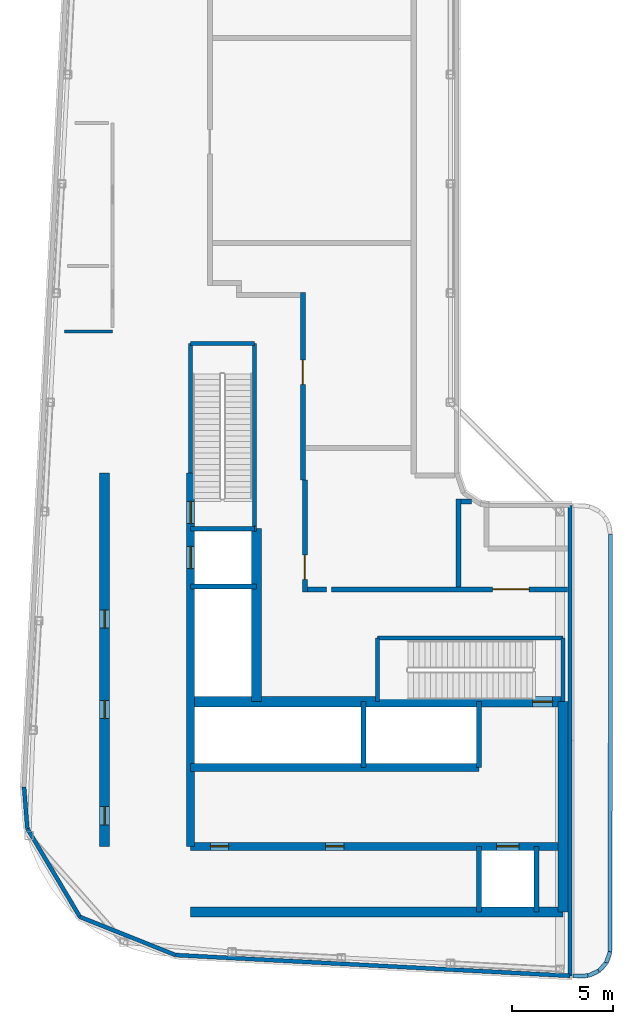
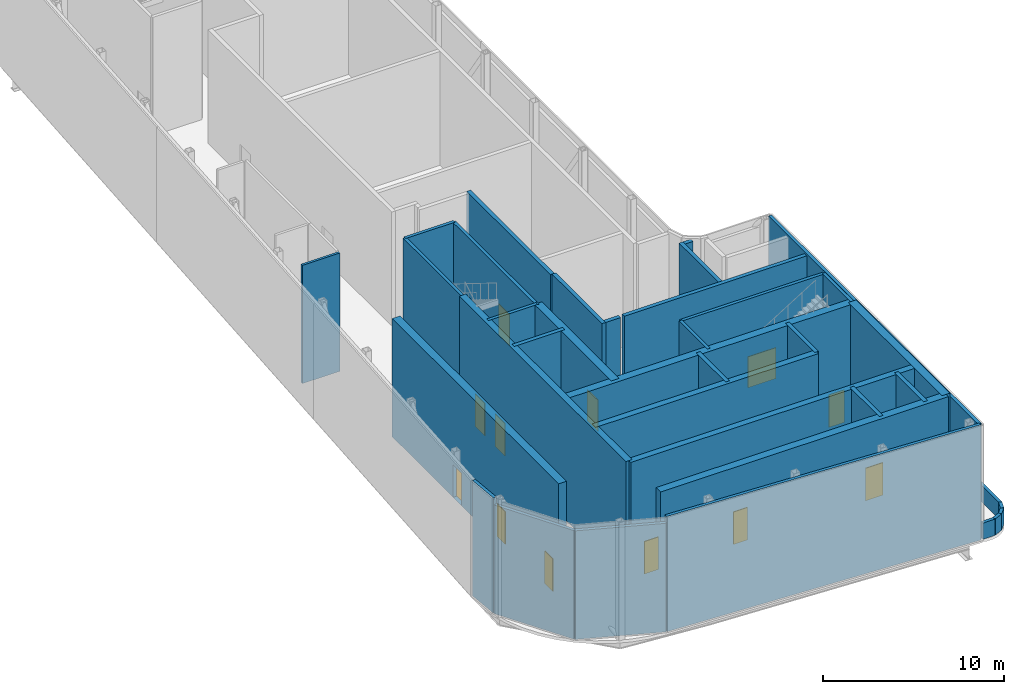
# One storey, part 4 of 10: 38 walls, 12 doors, 12 openings.
"""IFC4 building model written with IfcOpenShell, lengths in metres."""

from ifc_helpers import new_model, si_unit, direction, frame, frame_2d, origin, place, context, subcontext, project, spatial, rectangle, extrude, source, transform, mapped, material, layer, layer_set, type_object, element, fill, save


model = new_model("IFC4")

# Units and contexts
model_context = context("Model", 3, precision=1e-05, world=origin(), true_north=direction((0.0, 1.0)))
body_context = subcontext(model_context, "Body", "Model", "MODEL_VIEW")
ifc_project = project(units=[si_unit("LENGTHUNIT", "METRE"), si_unit("AREAUNIT", "SQUARE_METRE"), si_unit("VOLUMEUNIT", "CUBIC_METRE"), si_unit("PLANEANGLEUNIT", "RADIAN"), si_unit("MASSUNIT", "GRAM", prefix="KILO")], contexts=[model_context])

# Site, building, storey
site_placement = place(None, origin())
site = spatial("IfcSite", under=ifc_project, at=site_placement, CompositionType="ELEMENT")
building_placement = place(site_placement, origin())
building = spatial("IfcBuilding", under=site, at=building_placement, Name="Kheshtan School and Residences Tower", CompositionType="ELEMENT")
storey_placement = place(building_placement, frame((0.0, 0.0, 396.800048828125)))
storey = spatial("IfcBuildingStorey", under=building, at=storey_placement, Name="L93", CompositionType="ELEMENT", Elevation=396.800048828125)

# Wall, openings, doors
ifc_material_1 = material(Name="Concrete C50/60", Category="concrete")
ifc_layer_1 = layer(ifc_material_1, 0.39990234375)
ifc_layer_set_1 = layer_set([ifc_layer_1], Name="Core wall 400 Concrete C50/60")
wall_type_1 = type_object("IfcWallType", Name="Core wall 400 Concrete C50/60", PredefinedType="SHEAR", material=ifc_layer_set_1)
wall_1_placement = place(storey_placement, frame((34.75, 29.050048828125, 0.0), z_axis=(0.0, 0.0, 1.0), x_axis=(1.0, 0.0, 0.0)))
wall_1 = element("IfcWall", 1, at=wall_1_placement, inside=storey, type_object=wall_type_1, Name="Core wall CW-HALL-S1", PredefinedType="SHEAR", context=body_context, shape_type="SweptSolid", body=[
    extrude(rectangle(XDim=18.39990234375, YDim=0.39990234375, at=frame_2d((9.199951171875, 0.0))), origin(), (0.0, 0.0, 1.0), 8.0),
])
opening_1_placement = place(wall_1_placement, frame((15.125, 0.0, 0.0)))
opening_1 = element("IfcOpeningElement", 2, at=opening_1_placement, cuts=wall_1, Name="Opening LD", PredefinedType="OPENING", context=body_context, shape_type="SweptSolid", body=[
    extrude(rectangle(XDim=1.10009765625, YDim=2.199951171875, at=frame_2d((0.550048828125, 1.10009765625))), frame((0.0, 0.2099609375, 0.0), z_axis=(0.0, -1.0, 0.0), x_axis=(1.0, 0.0, 0.0)), (0.0, 0.0, 1.0), 0.419921875),
])
opening_2_placement = place(wall_1_placement, frame((0.97509765625, 0.0, 0.0)))
opening_2 = element("IfcOpeningElement", 3, at=opening_2_placement, cuts=wall_1, Name="Opening SR90", PredefinedType="OPENING", context=body_context, shape_type="SweptSolid", body=[
    extrude(rectangle(XDim=0.89990234375, YDim=2.199951171875, at=frame_2d((0.449951171875, 1.10009765625))), frame((0.0, 0.2099609375, 0.0), z_axis=(0.0, -1.0, 0.0), x_axis=(1.0, 0.0, 0.0)), (0.0, 0.0, 1.0), 0.419921875),
])
opening_3_placement = place(wall_1_placement, frame((6.675048828125, 0.0, 0.0)))
opening_3 = element("IfcOpeningElement", 4, at=opening_3_placement, cuts=wall_1, Name="Opening SR90", PredefinedType="OPENING", context=body_context, shape_type="SweptSolid", body=[
    extrude(rectangle(XDim=0.89990234375, YDim=2.199951171875, at=frame_2d((0.449951171875, 1.10009765625))), frame((0.0, 0.2099609375, 0.0), z_axis=(0.0, -1.0, 0.0), x_axis=(1.0, 0.0, 0.0)), (0.0, 0.0, 1.0), 0.419921875),
])
ifc_material_2 = material(Name="Stainless steel door leaves", Category="steel")
door_type_1 = type_object("IfcDoorType", Name="Lift landing door 1100", OperationType="SLIDING_TO_LEFT", PredefinedType="DOOR", material=ifc_material_2)
shared_shape_1 = source(origin(), body_context, "Body", "SweptSolid", [
    extrude(rectangle(XDim=1.10009765625, YDim=2.199951171875, at=frame_2d((0.550048828125, 1.10009765625))), frame((0.0, 0.02490234375, 0.0), z_axis=(0.0, -1.0, 0.0), x_axis=(1.0, 0.0, 0.0)), (0.0, 0.0, 1.0), 0.050048828125),
])
door_1_placement = place(opening_1_placement, origin())
door_1 = element("IfcDoor", 5, at=door_1_placement, inside=storey, type_object=door_type_1, Name="Lift FFL2 landing door", OperationType="SLIDING_TO_LEFT", OverallHeight=2.199951171875, OverallWidth=1.10009765625, PredefinedType="DOOR", context=body_context, shape_type="MappedRepresentation", body=[
    mapped(shared_shape_1, transform((0.0, 0.0, 0.0), x_axis=(1.0, 0.0, 0.0), y_axis=(0.0, 1.0, 0.0), z_axis=(0.0, 0.0, 1.0), scale=1.0)),
])
fill(opening_1, door_1)
ifc_material_3 = material(Name="Steel door leaf, galvanised", Category="steel")
door_type_2 = type_object("IfcDoorType", Name="Service room door 900 steel 90 min", OperationType="SINGLE_SWING_LEFT", PredefinedType="DOOR", material=ifc_material_3)
shared_shape_2 = source(origin(), body_context, "Body", "SweptSolid", [
    extrude(rectangle(XDim=0.89990234375, YDim=2.199951171875, at=frame_2d((0.449951171875, 1.10009765625))), frame((0.0, 0.02490234375, 0.0), z_axis=(0.0, -1.0, 0.0), x_axis=(1.0, 0.0, 0.0)), (0.0, 0.0, 1.0), 0.050048828125),
])
door_2_placement = place(opening_2_placement, origin())
door_2 = element("IfcDoor", 6, at=door_2_placement, inside=storey, type_object=door_type_2, Name="Service room door", OperationType="SINGLE_SWING_LEFT", OverallHeight=2.199951171875, OverallWidth=0.89990234375, PredefinedType="DOOR", context=body_context, shape_type="MappedRepresentation", body=[
    mapped(shared_shape_2, transform((0.0, 0.0, 0.0), x_axis=(1.0, 0.0, 0.0), y_axis=(0.0, 1.0, 0.0), z_axis=(0.0, 0.0, 1.0), scale=1.0)),
])
fill(opening_2, door_2)
door_3_placement = place(opening_3_placement, origin())
door_3 = element("IfcDoor", 7, at=door_3_placement, inside=storey, type_object=door_type_2, Name="Service room door", OperationType="SINGLE_SWING_RIGHT", OverallHeight=2.199951171875, OverallWidth=0.89990234375, PredefinedType="DOOR", context=body_context, shape_type="MappedRepresentation", body=[
    mapped(shared_shape_2, transform((0.0, 0.0, 0.0), x_axis=(1.0, 0.0, 0.0), y_axis=(0.0, 1.0, 0.0), z_axis=(0.0, 0.0, 1.0), scale=1.0)),
])
fill(opening_3, door_3)

# Wall
wall_2_placement = place(storey_placement, frame((34.75, 32.949951171875, 0.0), z_axis=(0.0, 0.0, 1.0), x_axis=(1.0, 0.0, 0.0)))
element("IfcWall", 8, at=wall_2_placement, inside=storey, type_object=wall_type_1, Name="Core wall CW-HALL-S2", PredefinedType="SHEAR", context=body_context, shape_type="SweptSolid", body=[
    extrude(rectangle(XDim=14.25, YDim=0.39990234375, at=frame_2d((7.125, 0.0))), origin(), (0.0, 0.0, 1.0), 8.0),
])

# Wall, openings, doors
wall_3_placement = place(storey_placement, frame((34.75, 29.050048828125, 0.0), z_axis=(0.0, 0.0, 1.0), x_axis=(0.0, 1.0, 0.0)))
wall_3 = element("IfcWall", 9, at=wall_3_placement, inside=storey, type_object=wall_type_1, Name="Core wall CW-HALL-W1", PredefinedType="SHEAR", context=body_context, shape_type="SweptSolid", body=[
    extrude(rectangle(XDim=18.449951171875, YDim=0.39990234375, at=frame_2d((9.22509765625, 0.0))), origin(), (0.0, 0.0, 1.0), 8.0),
])
opening_4_placement = place(wall_3_placement, frame((13.72509765625, 0.0, 0.0)))
opening_4 = element("IfcOpeningElement", 10, at=opening_4_placement, cuts=wall_3, Name="Opening LD", PredefinedType="OPENING", context=body_context, shape_type="SweptSolid", body=[
    extrude(rectangle(XDim=1.10009765625, YDim=2.199951171875, at=frame_2d((0.550048828125, 1.10009765625))), frame((0.0, 0.2099609375, 0.0), z_axis=(0.0, -1.0, 0.0), x_axis=(1.0, 0.0, 0.0)), (0.0, 0.0, 1.0), 0.419921875),
])
opening_5_placement = place(wall_3_placement, frame((15.949951171875, 0.0, 0.0)))
opening_5 = element("IfcOpeningElement", 11, at=opening_5_placement, cuts=wall_3, Name="Opening ST2D", PredefinedType="OPENING", context=body_context, shape_type="SweptSolid", body=[
    extrude(rectangle(XDim=1.10009765625, YDim=2.199951171875, at=frame_2d((0.550048828125, 1.10009765625))), frame((0.0, 0.2099609375, 0.0), z_axis=(0.0, -1.0, 0.0), x_axis=(1.0, 0.0, 0.0)), (0.0, 0.0, 1.0), 0.419921875),
])
door_4_placement = place(opening_4_placement, origin())
door_4 = element("IfcDoor", 12, at=door_4_placement, inside=storey, type_object=door_type_1, Name="Lift FFL1 landing door", OperationType="SLIDING_TO_LEFT", OverallHeight=2.199951171875, OverallWidth=1.10009765625, PredefinedType="DOOR", context=body_context, shape_type="MappedRepresentation", body=[
    mapped(shared_shape_1, transform((0.0, 0.0, 0.0), x_axis=(1.0, 0.0, 0.0), y_axis=(0.0, 1.0, 0.0), z_axis=(0.0, 0.0, 1.0), scale=1.0)),
])
fill(opening_4, door_4)
door_type_3 = type_object("IfcDoorType", Name="Stair door 1100 steel 90 min", OperationType="SINGLE_SWING_LEFT", PredefinedType="DOOR", material=ifc_material_3)
shared_shape_3 = source(origin(), body_context, "Body", "SweptSolid", [
    extrude(rectangle(XDim=1.10009765625, YDim=2.199951171875, at=frame_2d((0.550048828125, 1.10009765625))), frame((0.0, 0.02490234375, 0.0), z_axis=(0.0, -1.0, 0.0), x_axis=(1.0, 0.0, 0.0)), (0.0, 0.0, 1.0), 0.050048828125),
])
door_5_placement = place(opening_5_placement, origin())
door_5 = element("IfcDoor", 13, at=door_5_placement, inside=storey, type_object=door_type_3, Name="Stair ST2 door", OperationType="SINGLE_SWING_RIGHT", OverallHeight=2.199951171875, OverallWidth=1.10009765625, PredefinedType="DOOR", context=body_context, shape_type="MappedRepresentation", body=[
    mapped(shared_shape_3, transform((0.0, 0.0, 0.0), x_axis=(1.0, 0.0, 0.0), y_axis=(0.0, 1.0, 0.0), z_axis=(0.0, 0.0, 1.0), scale=1.0)),
])
fill(opening_5, door_5)

# Wall
ifc_layer_2 = layer(ifc_material_1, 0.5)
ifc_layer_set_2 = layer_set([ifc_layer_2], Name="Core wall 500 Concrete C50/60")
wall_type_2 = type_object("IfcWallType", Name="Core wall 500 Concrete C50/60", PredefinedType="SHEAR", material=ifc_layer_set_2)
wall_4_placement = place(storey_placement, frame((34.75, 25.800048828125, 0.0), z_axis=(0.0, 0.0, 1.0), x_axis=(1.0, 0.0, 0.0)))
element("IfcWall", 14, at=wall_4_placement, inside=storey, type_object=wall_type_2, Name="Core wall CW-REAR-S", PredefinedType="SHEAR", context=body_context, shape_type="SweptSolid", body=[
    extrude(rectangle(XDim=18.39990234375, YDim=0.5, at=frame_2d((9.199951171875, 0.0))), origin(), (0.0, 0.0, 1.0), 8.0),
])

# Wall, opening, door
wall_5_placement = place(storey_placement, frame((34.75, 36.199951171875, 0.0), z_axis=(0.0, 0.0, 1.0), x_axis=(1.0, 0.0, 0.0)))
wall_5 = element("IfcWall", 15, at=wall_5_placement, inside=storey, type_object=wall_type_2, Name="Core wall CW-FRONT-S", PredefinedType="SHEAR", context=body_context, shape_type="SweptSolid", body=[
    extrude(rectangle(XDim=18.39990234375, YDim=0.5, at=frame_2d((9.199951171875, 0.0))), origin(), (0.0, 0.0, 1.0), 8.0),
])
opening_6_placement = place(wall_5_placement, frame((16.89990234375, 0.0, 0.0)))
opening_6 = element("IfcOpeningElement", 16, at=opening_6_placement, cuts=wall_5, Name="Opening ST1D", PredefinedType="OPENING", context=body_context, shape_type="SweptSolid", body=[
    extrude(rectangle(XDim=1.0, YDim=2.199951171875, at=frame_2d((0.5, 1.10009765625))), frame((0.0, 0.260009765625, 0.0), z_axis=(0.0, -1.0, 0.0), x_axis=(1.0, 0.0, 0.0)), (0.0, 0.0, 1.0), 0.52001953125),
])
shared_shape_4 = source(origin(), body_context, "Body", "SweptSolid", [
    extrude(rectangle(XDim=1.0, YDim=2.199951171875, at=frame_2d((0.5, 1.10009765625))), frame((0.0, 0.02490234375, 0.0), z_axis=(0.0, -1.0, 0.0), x_axis=(1.0, 0.0, 0.0)), (0.0, 0.0, 1.0), 0.050048828125),
])
door_6_placement = place(opening_6_placement, origin())
door_6 = element("IfcDoor", 17, at=door_6_placement, inside=storey, type_object=door_type_3, Name="Stair ST1 door", OperationType="SINGLE_SWING_RIGHT", OverallHeight=2.199951171875, OverallWidth=1.0, PredefinedType="DOOR", context=body_context, shape_type="MappedRepresentation", body=[
    mapped(shared_shape_4, transform((0.0, 0.0, 0.0), x_axis=(1.0, 0.0, 0.0), y_axis=(0.0, 1.0, 0.0), z_axis=(0.0, 0.0, 1.0), scale=1.0)),
])
fill(opening_6, door_6)

# Wall
wall_6_placement = place(storey_placement, frame((38.0, 36.199951171875, 0.0), z_axis=(0.0, 0.0, 1.0), x_axis=(0.0, 1.0, 0.0)))
element("IfcWall", 18, at=wall_6_placement, inside=storey, type_object=wall_type_2, Name="Core wall CW-FRONT-W", PredefinedType="SHEAR", context=body_context, shape_type="SweptSolid", body=[
    extrude(rectangle(XDim=8.550048828125, YDim=0.5, at=frame_2d((4.27490234375, 0.0))), origin(), (0.0, 0.0, 1.0), 8.0),
])

# Wall, openings, doors
wall_7_placement = place(storey_placement, frame((30.5, 29.050048828125, 0.0), z_axis=(0.0, 0.0, 1.0), x_axis=(0.0, 1.0, 0.0)))
wall_7 = element("IfcWall", 19, at=wall_7_placement, inside=storey, type_object=wall_type_2, Name="Core wall CW-REAR-W", PredefinedType="SHEAR", context=body_context, shape_type="SweptSolid", body=[
    extrude(rectangle(XDim=18.449951171875, YDim=0.5, at=frame_2d((9.22509765625, 0.0))), origin(), (0.0, 0.0, 1.0), 8.0),
])
opening_7_placement = place(wall_7_placement, frame((1.06396484375, 0.0, 0.0)))
opening_7 = element("IfcOpeningElement", 20, at=opening_7_placement, cuts=wall_7, Name="Opening SR90", PredefinedType="OPENING", context=body_context, shape_type="SweptSolid", body=[
    extrude(rectangle(XDim=0.89990234375, YDim=2.199951171875, at=frame_2d((0.449951171875, 1.10009765625))), frame((0.0, 0.260009765625, 0.0), z_axis=(0.0, -1.0, 0.0), x_axis=(1.0, 0.0, 0.0)), (0.0, 0.0, 1.0), 0.52001953125),
])
opening_8_placement = place(wall_7_placement, frame((6.31591796875, 0.0, 0.0)))
opening_8 = element("IfcOpeningElement", 21, at=opening_8_placement, cuts=wall_7, Name="Opening SR90", PredefinedType="OPENING", context=body_context, shape_type="SweptSolid", body=[
    extrude(rectangle(XDim=0.89990234375, YDim=2.199951171875, at=frame_2d((0.449951171875, 1.10009765625))), frame((0.0, 0.260009765625, 0.0), z_axis=(0.0, -1.0, 0.0), x_axis=(1.0, 0.0, 0.0)), (0.0, 0.0, 1.0), 0.52001953125),
])
opening_9_placement = place(wall_7_placement, frame((10.791015625, 0.0, 0.0)))
opening_9 = element("IfcOpeningElement", 22, at=opening_9_placement, cuts=wall_7, Name="Opening SR90", PredefinedType="OPENING", context=body_context, shape_type="SweptSolid", body=[
    extrude(rectangle(XDim=0.89990234375, YDim=2.199951171875, at=frame_2d((0.449951171875, 1.10009765625))), frame((0.0, 0.260009765625, 0.0), z_axis=(0.0, -1.0, 0.0), x_axis=(1.0, 0.0, 0.0)), (0.0, 0.0, 1.0), 0.52001953125),
])
door_7_placement = place(opening_7_placement, origin())
door_7 = element("IfcDoor", 23, at=door_7_placement, inside=storey, type_object=door_type_2, Name="Service room door", OperationType="SINGLE_SWING_LEFT", OverallHeight=2.199951171875, OverallWidth=0.89990234375, PredefinedType="DOOR", context=body_context, shape_type="MappedRepresentation", body=[
    mapped(shared_shape_2, transform((0.0, 0.0, 0.0), x_axis=(1.0, 0.0, 0.0), y_axis=(0.0, 1.0, 0.0), z_axis=(0.0, 0.0, 1.0), scale=1.0)),
])
fill(opening_7, door_7)
door_8_placement = place(opening_8_placement, origin())
door_8 = element("IfcDoor", 24, at=door_8_placement, inside=storey, type_object=door_type_2, Name="Service room door", OperationType="SINGLE_SWING_LEFT", OverallHeight=2.199951171875, OverallWidth=0.89990234375, PredefinedType="DOOR", context=body_context, shape_type="MappedRepresentation", body=[
    mapped(shared_shape_2, transform((0.0, 0.0, 0.0), x_axis=(1.0, 0.0, 0.0), y_axis=(0.0, 1.0, 0.0), z_axis=(0.0, 0.0, 1.0), scale=1.0)),
])
fill(opening_8, door_8)
door_9_placement = place(opening_9_placement, origin())
door_9 = element("IfcDoor", 25, at=door_9_placement, inside=storey, type_object=door_type_2, Name="Service room door", OperationType="SINGLE_SWING_RIGHT", OverallHeight=2.199951171875, OverallWidth=0.89990234375, PredefinedType="DOOR", context=body_context, shape_type="MappedRepresentation", body=[
    mapped(shared_shape_2, transform((0.0, 0.0, 0.0), x_axis=(1.0, 0.0, 0.0), y_axis=(0.0, 1.0, 0.0), z_axis=(0.0, 0.0, 1.0), scale=1.0)),
])
fill(opening_9, door_9)

# Walls
wall_8_placement = place(storey_placement, frame((53.14990234375, 25.800048828125, 0.0), z_axis=(0.0, 0.0, 1.0), x_axis=(0.0, 1.0, 0.0)))
element("IfcWall", 26, at=wall_8_placement, inside=storey, type_object=wall_type_2, Name="Core wall CW-EAST", PredefinedType="SHEAR", context=body_context, shape_type="SweptSolid", body=[
    extrude(rectangle(XDim=10.39990234375, YDim=0.5, at=frame_2d((5.199951171875, 0.0))), origin(), (0.0, 0.0, 1.0), 8.0),
])
ifc_material_4 = material(Name="Concrete C40/50 with ceramic cladding and mineral wool insulation", Category="concrete")
ifc_layer_3 = layer(ifc_material_4, 0.199951171875)
ifc_layer_set_3 = layer_set([ifc_layer_3], Name="Plant enclosure wall 200")
wall_type_3 = type_object("IfcWallType", Name="Plant enclosure wall 200", PredefinedType="SOLIDWALL", material=ifc_layer_set_3)
wall_9_placement = place(storey_placement, frame((53.5, 45.89990234375, 0.0), z_axis=(0.0, 0.0, 1.0), x_axis=(0.0, -1.0, 0.0)))
element("IfcWall", 27, at=wall_9_placement, inside=storey, type_object=wall_type_3, Name="Plant enclosure wall L93 5", PredefinedType="SOLIDWALL", context=body_context, shape_type="SweptSolid", body=[
    extrude(rectangle(XDim=23.247802734375, YDim=0.199951171875, at=frame_2d((11.6240234375, 0.0))), origin(), (0.0, 0.0, 1.0), 7.800048828125),
])
wall_10_placement = place(storey_placement, frame((53.5, 22.652099609375, 0.0), z_axis=(0.0, 0.0, 1.0), x_axis=(-0.998614821215, 0.052615956231, 0.0)))
element("IfcWall", 28, at=wall_10_placement, inside=storey, type_object=wall_type_3, Name="Plant enclosure wall L93 6", PredefinedType="SOLIDWALL", context=body_context, shape_type="SweptSolid", body=[
    extrude(rectangle(XDim=19.51611328125, YDim=0.199951171875, at=frame_2d((9.758056640625, 0.0))), origin(), (0.0, 0.0, 1.0), 7.800048828125),
])
wall_11_placement = place(storey_placement, frame((34.010986328125, 23.678955078125, 0.0), z_axis=(0.0, 0.0, 1.0), x_axis=(-0.928816849865, 0.370539146929, 0.0)))
element("IfcWall", 29, at=wall_11_placement, inside=storey, type_object=wall_type_3, Name="Plant enclosure wall L93 7", PredefinedType="SOLIDWALL", context=body_context, shape_type="SweptSolid", body=[
    extrude(rectangle(XDim=5.092529296875, YDim=0.199951171875, at=frame_2d((2.54638671875, 0.0))), origin(), (0.0, 0.0, 1.0), 7.343017578125),
])
wall_12_placement = place(storey_placement, frame((29.281005859375, 25.56591796875, 0.0), z_axis=(0.0, 0.0, 1.0), x_axis=(-0.511004466641, 0.859578056417, 0.0)))
element("IfcWall", 30, at=wall_12_placement, inside=storey, type_object=wall_type_3, Name="Plant enclosure wall L93 8", PredefinedType="SOLIDWALL", context=body_context, shape_type="SweptSolid", body=[
    extrude(rectangle(XDim=5.086181640625, YDim=0.199951171875, at=frame_2d((2.54296875, 0.0))), origin(), (0.0, 0.0, 1.0), 7.343017578125),
])
wall_13_placement = place(storey_placement, frame((26.681884765625, 29.93798828125, 0.0), z_axis=(0.0, 0.0, 1.0), x_axis=(-0.078637344527, 0.996903289214, 0.0)))
element("IfcWall", 31, at=wall_13_placement, inside=storey, type_object=wall_type_3, Name="Plant enclosure wall L93 9", PredefinedType="SOLIDWALL", context=body_context, shape_type="SweptSolid", body=[
    extrude(rectangle(XDim=2.058349609375, YDim=0.199951171875, at=frame_2d((1.029296875, 0.0))), origin(), (0.0, 0.0, 1.0), 7.800048828125),
])

# Wall, opening, door
ifc_material_5 = material(Name="Fire-board and steel stud wall with mineral wool", Category="steel")
ifc_layer_4 = layer(ifc_material_5, 0.25)
ifc_layer_set_4 = layer_set([ifc_layer_4], Name="Plant room wall 250")
wall_type_4 = type_object("IfcWallType", Name="Plant room wall 250", PredefinedType="PARTITIONING", material=ifc_layer_set_4)
wall_14_placement = place(storey_placement, frame((40.300048828125, 47.14990234375, 0.0), z_axis=(0.0, 0.0, 1.0), x_axis=(0.0, 1.0, 0.0)))
wall_14 = element("IfcWall", 32, at=wall_14_placement, inside=storey, type_object=wall_type_4, Name="Partition L93-010", PredefinedType="PARTITIONING", context=body_context, shape_type="SweptSolid", body=[
    extrude(rectangle(XDim=9.28515625, YDim=0.25, at=frame_2d((4.642578125, 0.0))), origin(), (0.0, 0.0, 1.0), 7.699951171875),
])
opening_10_placement = place(wall_14_placement, frame((4.736083984375, 0.0, 0.0)))
opening_10 = element("IfcOpeningElement", 33, at=opening_10_placement, cuts=wall_14, Name="Opening D93-001", PredefinedType="OPENING", context=body_context, shape_type="SweptSolid", body=[
    extrude(rectangle(XDim=1.199951171875, YDim=2.10009765625, at=frame_2d((0.60009765625, 1.050048828125))), frame((0.0, 0.135009765625, 0.0), z_axis=(0.0, -1.0, 0.0), x_axis=(1.0, 0.0, 0.0)), (0.0, 0.0, 1.0), 0.27001953125),
])
ifc_material_6 = material(Name="Steel-framed fire-resisting door leaf", Category="steel")
door_type_4 = type_object("IfcDoorType", Name="Fire door FD120 1200 x 2100", OperationType="SINGLE_SWING_LEFT", PredefinedType="DOOR", material=ifc_material_6)
shared_shape_5 = source(origin(), body_context, "Body", "SweptSolid", [
    extrude(rectangle(XDim=1.199951171875, YDim=2.10009765625, at=frame_2d((0.60009765625, 1.050048828125))), frame((0.0, 0.02490234375, 0.0), z_axis=(0.0, -1.0, 0.0), x_axis=(1.0, 0.0, 0.0)), (0.0, 0.0, 1.0), 0.050048828125),
])
door_10_placement = place(opening_10_placement, origin())
door_10 = element("IfcDoor", 34, at=door_10_placement, inside=storey, type_object=door_type_4, Name="Door D93-001", OperationType="SINGLE_SWING_RIGHT", OverallHeight=2.10009765625, OverallWidth=1.199951171875, PredefinedType="DOOR", context=body_context, shape_type="MappedRepresentation", body=[
    mapped(shared_shape_5, transform((0.0, 0.0, 0.0), x_axis=(1.0, 0.0, 0.0), y_axis=(0.0, 1.0, 0.0), z_axis=(0.0, 0.0, 1.0), scale=1.0)),
])
fill(opening_10, door_10)

wall_15_placement = place(storey_placement, frame((40.39990234375, 41.623046875, 0.0), z_axis=(0.0, 0.0, 1.0), x_axis=(0.0, 1.0, 0.0)))
wall_15 = element("IfcWall", 35, at=wall_15_placement, inside=storey, type_object=wall_type_4, Name="Partition L93-011", PredefinedType="PARTITIONING", context=body_context, shape_type="SweptSolid", body=[
    extrude(rectangle(XDim=5.52685546875, YDim=0.25, at=frame_2d((2.763427734375, 0.0))), origin(), (0.0, 0.0, 1.0), 7.699951171875),
])
opening_11_placement = place(wall_15_placement, frame((0.626953125, 0.0, 0.0)))
opening_11 = element("IfcOpeningElement", 36, at=opening_11_placement, cuts=wall_15, Name="Opening D93-002", PredefinedType="OPENING", context=body_context, shape_type="SweptSolid", body=[
    extrude(rectangle(XDim=1.199951171875, YDim=2.10009765625, at=frame_2d((0.60009765625, 1.050048828125))), frame((0.0, 0.135009765625, 0.0), z_axis=(0.0, -1.0, 0.0), x_axis=(1.0, 0.0, 0.0)), (0.0, 0.0, 1.0), 0.27001953125),
])
door_11_placement = place(opening_11_placement, origin())
door_11 = element("IfcDoor", 37, at=door_11_placement, inside=storey, type_object=door_type_4, Name="Door D93-002", OperationType="SINGLE_SWING_RIGHT", OverallHeight=2.10009765625, OverallWidth=1.199951171875, PredefinedType="DOOR", context=body_context, shape_type="MappedRepresentation", body=[
    mapped(shared_shape_5, transform((0.0, 0.0, 0.0), x_axis=(1.0, 0.0, 0.0), y_axis=(0.0, 1.0, 0.0), z_axis=(0.0, 0.0, 1.0), scale=1.0)),
])
fill(opening_11, door_11)

# Wall
wall_16_placement = place(storey_placement, frame((40.52490234375, 41.748046875, 0.0), z_axis=(0.0, 0.0, 1.0), x_axis=(1.0, 0.0, 0.0)))
element("IfcWall", 38, at=wall_16_placement, inside=storey, type_object=wall_type_4, Name="Partition L93-013", PredefinedType="PARTITIONING", context=body_context, shape_type="SweptSolid", body=[
    extrude(rectangle(XDim=0.940185546875, YDim=0.25, at=frame_2d((0.47021484375, 0.0))), origin(), (0.0, 0.0, 1.0), 7.699951171875),
])

# Wall, opening, door
wall_17_placement = place(storey_placement, frame((41.715087890625, 41.7490234375, 0.0), z_axis=(0.0, 0.0, 1.0), x_axis=(0.99999996846, 0.000251156358, 0.0)))
wall_17 = element("IfcWall", 39, at=wall_17_placement, inside=storey, type_object=wall_type_4, Name="Partition L93-014", PredefinedType="PARTITIONING", context=body_context, shape_type="SweptSolid", body=[
    extrude(rectangle(XDim=11.664794921875, YDim=0.25, at=frame_2d((5.83251953125, 0.0))), origin(), (0.0, 0.0, 1.0), 7.699951171875),
])
opening_12_placement = place(wall_17_placement, frame((7.965087890625, 0.0, 0.0)))
opening_12 = element("IfcOpeningElement", 40, at=opening_12_placement, cuts=wall_17, Name="Opening D93-003", PredefinedType="OPENING", context=body_context, shape_type="SweptSolid", body=[
    extrude(rectangle(XDim=1.800048828125, YDim=2.10009765625, at=frame_2d((0.89990234375, 1.050048828125))), frame((0.0, 0.135009765625, 0.0), z_axis=(0.0, -1.0, 0.0), x_axis=(1.0, 0.0, 0.0)), (0.0, 0.0, 1.0), 0.27001953125),
])
door_type_5 = type_object("IfcDoorType", Name="Fire double door FD120 1800 x 2100", OperationType="DOUBLE_DOOR_SINGLE_SWING", PredefinedType="DOOR", material=ifc_material_6)
shared_shape_6 = source(origin(), body_context, "Body", "SweptSolid", [
    extrude(rectangle(XDim=1.800048828125, YDim=2.10009765625, at=frame_2d((0.89990234375, 1.050048828125))), frame((0.0, 0.02490234375, 0.0), z_axis=(0.0, -1.0, 0.0), x_axis=(1.0, 0.0, 0.0)), (0.0, 0.0, 1.0), 0.050048828125),
])
door_12_placement = place(opening_12_placement, origin())
door_12 = element("IfcDoor", 41, at=door_12_placement, inside=storey, type_object=door_type_5, Name="Door D93-003", OperationType="DOUBLE_DOOR_SINGLE_SWING", OverallHeight=2.10009765625, OverallWidth=1.800048828125, PredefinedType="DOOR", context=body_context, shape_type="MappedRepresentation", body=[
    mapped(shared_shape_6, transform((0.0, 0.0, 0.0), x_axis=(1.0, 0.0, 0.0), y_axis=(0.0, 1.0, 0.0), z_axis=(0.0, 0.0, 1.0), scale=1.0)),
])
fill(opening_12, door_12)

# Walls
wall_18_placement = place(storey_placement, frame((47.989990234375, 41.875, 0.0), z_axis=(0.0, 0.0, 1.0), x_axis=(0.0, 1.0, 0.0)))
element("IfcWall", 42, at=wall_18_placement, inside=storey, type_object=wall_type_4, Name="Partition L93-017", PredefinedType="PARTITIONING", context=body_context, shape_type="SweptSolid", body=[
    extrude(rectangle(XDim=4.35009765625, YDim=0.25, at=frame_2d((2.175048828125, 0.0))), origin(), (0.0, 0.0, 1.0), 7.699951171875),
])
wall_19_placement = place(storey_placement, frame((48.114990234375, 46.10009765625, 0.0), z_axis=(0.0, 0.0, 1.0), x_axis=(1.0, 0.0, 0.0)))
element("IfcWall", 43, at=wall_19_placement, inside=storey, type_object=wall_type_4, Name="Partition L93-018", PredefinedType="PARTITIONING", context=body_context, shape_type="SweptSolid", body=[
    extrude(rectangle(XDim=0.510986328125, YDim=0.25, at=frame_2d((0.25537109375, 0.0))), origin(), (0.0, 0.0, 1.0), 7.699951171875),
])
ifc_layer_5 = layer(ifc_material_4, 0.199951171875)
ifc_layer_set_5 = layer_set([ifc_layer_5], Name="Roof parapet 200")
wall_type_5 = type_object("IfcWallType", Name="Roof parapet 200", PredefinedType="PARAPET", material=ifc_layer_set_5)
wall_20_placement = place(storey_placement, frame((55.5, 44.489990234375, 0.0), z_axis=(0.0, 0.0, 1.0), x_axis=(-0.000673830396, -0.999999772976, 0.0)))
element("IfcWall", 44, at=wall_20_placement, inside=storey, type_object=wall_type_5, Name="Tip roof parapet 2.6", PredefinedType="PARAPET", context=body_context, shape_type="SweptSolid", body=[
    extrude(rectangle(XDim=20.652099609375, YDim=0.199951171875, at=frame_2d((10.326171875, 0.0))), origin(), (0.0, 0.0, 1.0), 1.099853515625),
])
wall_21_placement = place(storey_placement, frame((55.486083984375, 23.837890625, 0.0), z_axis=(0.0, 0.0, 1.0), x_axis=(-0.331558506533, -0.9434346595, 0.0)))
element("IfcWall", 45, at=wall_21_placement, inside=storey, type_object=wall_type_5, Name="Tip roof parapet 2.7", PredefinedType="PARAPET", context=body_context, shape_type="SweptSolid", body=[
    extrude(rectangle(XDim=0.56689453125, YDim=0.199951171875, at=frame_2d((0.283447265625, 0.0))), origin(), (0.0, 0.0, 1.0), 1.099853515625),
])
wall_22_placement = place(storey_placement, frame((55.298095703125, 23.302978515625, 0.0), z_axis=(0.0, 0.0, 1.0), x_axis=(-0.678154110006, -0.734919725604, 0.0)))
element("IfcWall", 46, at=wall_22_placement, inside=storey, type_object=wall_type_5, Name="Tip roof parapet 2.8", PredefinedType="PARAPET", context=body_context, shape_type="SweptSolid", body=[
    extrude(rectangle(XDim=0.5634765625, YDim=0.199951171875, at=frame_2d((0.28173828125, 0.0))), origin(), (0.0, 0.0, 1.0), 1.099853515625),
])
wall_23_placement = place(storey_placement, frame((54.916015625, 22.888916015625, 0.0), z_axis=(0.0, 0.0, 1.0), x_axis=(-0.912771455909, -0.408470646777, 0.0)))
element("IfcWall", 47, at=wall_23_placement, inside=storey, type_object=wall_type_5, Name="Tip roof parapet 2.9", PredefinedType="PARAPET", context=body_context, shape_type="SweptSolid", body=[
    extrude(rectangle(XDim=0.56298828125, YDim=0.199951171875, at=frame_2d((0.281494140625, 0.0))), origin(), (0.0, 0.0, 1.0), 1.099853515625),
])
wall_24_placement = place(storey_placement, frame((54.402099609375, 22.658935546875, 0.0), z_axis=(0.0, 0.0, 1.0), x_axis=(-0.999829794727, -0.018449432923, 0.0)))
element("IfcWall", 48, at=wall_24_placement, inside=storey, type_object=wall_type_5, Name="Tip roof parapet 2.10", PredefinedType="PARAPET", context=body_context, shape_type="SweptSolid", body=[
    extrude(rectangle(XDim=0.75439453125, YDim=0.199951171875, at=frame_2d((0.377197265625, 0.0))), origin(), (0.0, 0.0, 1.0), 1.099853515625),
])
ifc_material_7 = material(Name="Fire-board shaft wall system")
ifc_layer_6 = layer(ifc_material_7, 0.14990234375)
ifc_layer_set_6 = layer_set([ifc_layer_6], Name="Service room wall 150")
wall_type_6 = type_object("IfcWallType", Name="Service room wall 150", PredefinedType="PARTITIONING", material=ifc_layer_set_6)
wall_25_placement = place(storey_placement, frame((28.508056640625, 54.5, 0.0), z_axis=(0.0, 0.0, 1.0), x_axis=(1.0, 0.0, 0.0)))
element("IfcWall", 49, at=wall_25_placement, inside=storey, type_object=wall_type_6, Name="Service room wall", PredefinedType="PARTITIONING", context=body_context, shape_type="SweptSolid", body=[
    extrude(rectangle(XDim=2.391845703125, YDim=0.14990234375, at=frame_2d((1.19580078125, 0.0))), origin(), (0.0, 0.0, 1.0), 8.0),
])
ifc_layer_7 = layer(ifc_material_7, 0.25)
ifc_layer_set_7 = layer_set([ifc_layer_7], Name="Shaft lining wall 250")
wall_type_7 = type_object("IfcWallType", Name="Shaft lining wall 250", PredefinedType="PARTITIONING", material=ifc_layer_set_7)
for number, where, z_axis, x_axis, name in (
    (50, (43.300048828125, 32.949951171875, 0.0), (0.0, 0.0, 1.0), (0.0, 1.0, 0.0), "Shaft lining wall"),
    (51, (49.0, 25.800048828125, 0.0), (0.0, 0.0, 1.0), (0.0, 1.0, 0.0), "Shaft lining wall"),
    (52, (49.0, 32.949951171875, 0.0), (0.0, 0.0, 1.0), (0.0, 1.0, 0.0), "Shaft lining wall"),
    (53, (51.85009765625, 25.800048828125, 0.0), (0.0, 0.0, 1.0), (0.0, 1.0, 0.0), "Shaft lining wall"),
    (54, (34.75, 41.89990234375, 0.0), (0.0, 0.0, 1.0), (1.0, 0.0, 0.0), "Shaft lining wall"),
):
    element("IfcWall", number, at=place(storey_placement, frame(where, z_axis=z_axis, x_axis=x_axis)), inside=storey, type_object=wall_type_7, Name=name, PredefinedType="PARTITIONING", context=body_context, shape_type="SweptSolid", body=[
        extrude(rectangle(XDim=3.25, YDim=0.25, at=frame_2d((1.625, 0.0))), origin(), (0.0, 0.0, 1.0), 8.0),
    ])
wall_26_placement = place(storey_placement, frame((37.89990234375, 44.75, 0.0), z_axis=(0.0, 0.0, 1.0), x_axis=(1.0, 0.0, 0.0)))
element("IfcWall", 55, at=wall_26_placement, inside=storey, type_object=wall_type_7, Name="Shaft lining wall", PredefinedType="PARTITIONING", context=body_context, shape_type="SweptSolid", body=[
    extrude(rectangle(XDim=0.10009765625, YDim=0.25, at=frame_2d((0.050048828125, 0.0))), origin(), (0.0, 0.0, 1.0), 8.0),
])
ifc_material_8 = material(Name="Concrete C40/50", Category="concrete")
ifc_layer_8 = layer(ifc_material_8, 0.199951171875)
ifc_layer_set_8 = layer_set([ifc_layer_8], Name="Stair enclosure wall 200 Concrete C40/50")
wall_type_8 = type_object("IfcWallType", Name="Stair enclosure wall 200 Concrete C40/50", PredefinedType="SHEAR", material=ifc_layer_set_8)
wall_27_placement = place(storey_placement, frame((43.989990234375, 39.35009765625, 0.0), z_axis=(0.0, 0.0, 1.0), x_axis=(1.0, 0.0, 0.0)))
element("IfcWall", 56, at=wall_27_placement, inside=storey, type_object=wall_type_8, Name="Stair enclosure wall ST1", PredefinedType="SHEAR", context=body_context, shape_type="SweptSolid", body=[
    extrude(rectangle(XDim=9.159912109375, YDim=0.199951171875, at=frame_2d((4.580078125, 0.0))), origin(), (0.0, 0.0, 1.0), 8.0),
])
for number, where, z_axis, x_axis, name in (
    (57, (43.989990234375, 36.199951171875, 0.0), (0.0, 0.0, 1.0), (0.0, 1.0, 0.0), "Stair enclosure wall ST1"),
    (58, (53.14990234375, 36.199951171875, 0.0), (0.0, 0.0, 1.0), (0.0, 1.0, 0.0), "Stair enclosure wall ST1"),
):
    element("IfcWall", number, at=place(storey_placement, frame(where, z_axis=z_axis, x_axis=x_axis)), inside=storey, type_object=wall_type_8, Name=name, PredefinedType="SHEAR", context=body_context, shape_type="SweptSolid", body=[
        extrude(rectangle(XDim=3.150146484375, YDim=0.199951171875, at=frame_2d((1.5751953125, 0.0))), origin(), (0.0, 0.0, 1.0), 8.0),
    ])
for number, where, z_axis, x_axis, name in (
    (59, (34.75, 44.75, 0.0), (0.0, 0.0, 1.0), (1.0, 0.0, 0.0), "Stair enclosure wall ST2"),
    (60, (34.75, 53.909912109375, 0.0), (0.0, 0.0, 1.0), (1.0, 0.0, 0.0), "Stair enclosure wall ST2"),
):
    element("IfcWall", number, at=place(storey_placement, frame(where, z_axis=z_axis, x_axis=x_axis)), inside=storey, type_object=wall_type_8, Name=name, PredefinedType="SHEAR", context=body_context, shape_type="SweptSolid", body=[
        extrude(rectangle(XDim=3.14990234375, YDim=0.199951171875, at=frame_2d((1.574951171875, 0.0))), origin(), (0.0, 0.0, 1.0), 8.0),
    ])
wall_28_placement = place(storey_placement, frame((34.75, 47.5, 0.0), z_axis=(0.0, 0.0, 1.0), x_axis=(0.0, 1.0, 0.0)))
element("IfcWall", 61, at=wall_28_placement, inside=storey, type_object=wall_type_8, Name="Stair enclosure wall ST2", PredefinedType="SHEAR", context=body_context, shape_type="SweptSolid", body=[
    extrude(rectangle(XDim=6.409912109375, YDim=0.199951171875, at=frame_2d((3.205078125, 0.0))), origin(), (0.0, 0.0, 1.0), 8.0),
])
wall_29_placement = place(storey_placement, frame((37.89990234375, 44.75, 0.0), z_axis=(0.0, 0.0, 1.0), x_axis=(0.0, 1.0, 0.0)))
element("IfcWall", 62, at=wall_29_placement, inside=storey, type_object=wall_type_8, Name="Stair enclosure wall ST2", PredefinedType="SHEAR", context=body_context, shape_type="SweptSolid", body=[
    extrude(rectangle(XDim=9.159912109375, YDim=0.199951171875, at=frame_2d((4.580078125, 0.0))), origin(), (0.0, 0.0, 1.0), 8.0),
])

save(model, "model.ifc")
